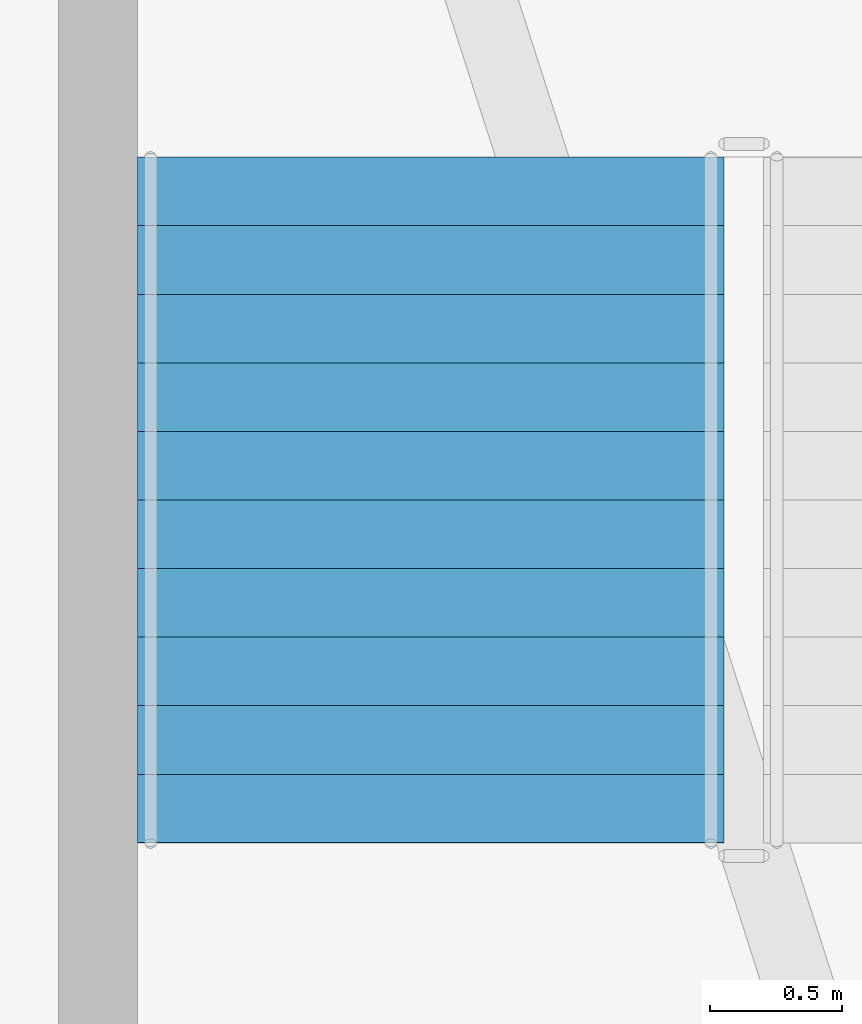
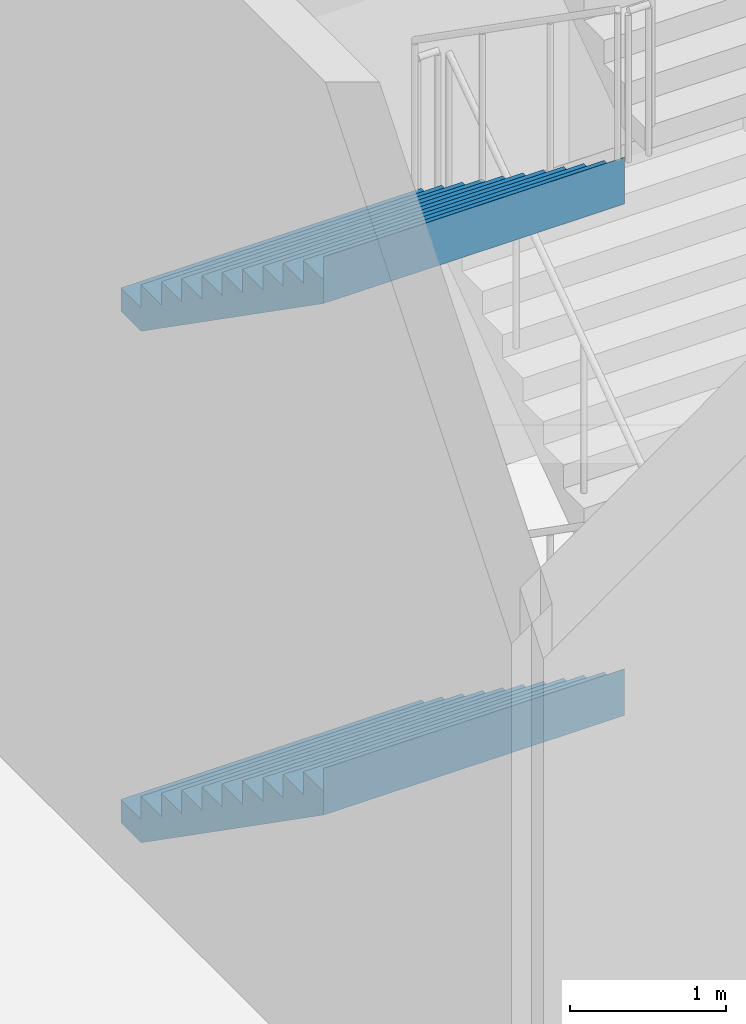
# One storey, part 23 of 36: 2 stair flights, 1 element without a shape of its own.
"""IFC4 building model written with IfcOpenShell, lengths in metres."""

from ifc_helpers import new_model, si_unit, direction, frame, origin, place, context, subcontext, project, spatial, triangles, material, type_object, element, aggregate, save


model = new_model("IFC4")

# Units and contexts
model_context = context("Model", 3, precision=1e-05, world=origin(), true_north=direction((0.0, 1.0)))
body_context = subcontext(model_context, "Body", "Model", "MODEL_VIEW")
ifc_project = project(units=[si_unit("LENGTHUNIT", "METRE"), si_unit("AREAUNIT", "SQUARE_METRE"), si_unit("VOLUMEUNIT", "CUBIC_METRE"), si_unit("PLANEANGLEUNIT", "RADIAN"), si_unit("MASSUNIT", "GRAM", prefix="KILO")], contexts=[model_context])

# Site, building, storey
site_placement = place(None, origin())
site = spatial("IfcSite", under=ifc_project, at=site_placement, CompositionType="ELEMENT")
building_placement = place(site_placement, origin())
building = spatial("IfcBuilding", under=site, at=building_placement, Name="Sahrelin Media Tower", CompositionType="ELEMENT")
storey_placement = place(building_placement, origin())
storey = spatial("IfcBuildingStorey", under=building, at=storey_placement, Name="L00", CompositionType="ELEMENT", Elevation=0.0)

# Stair, stair flights
ifc_material = material(Name="Concrete C40/50", Category="concrete")
stair_type = type_object("IfcStairType", Name="Podium stair 2225", PredefinedType="HALF_TURN_STAIR", material=ifc_material)
stair_placement = place(storey_placement, origin())
stair = element("IfcStair", 1, at=stair_placement, inside=storey, type_object=stair_type, Name="L00 Podium stair PS4", PredefinedType="HALF_TURN_STAIR")
stair_flight_type = type_object("IfcStairFlightType", Name="Stair flight 2225", PredefinedType="STRAIGHT", material=ifc_material)
stair_flight_1_placement = place(storey_placement, frame((9.46240234375, -30.625, 0.0), z_axis=(0.0, 0.0, 1.0), x_axis=(0.0, -1.0, 0.0)))
stair_flight_1 = element("IfcStairFlight", 2, at=stair_flight_1_placement, type_object=stair_flight_type, Name="PS4 flight 1", NumberOfRisers=11, NumberOfTreads=10, PredefinedType="STRAIGHT", RiserHeight=0.181818182, TreadLength=0.26, context=body_context, shape_type="Tessellation", body=[
    triangles([(0.261474609375, 1.112548828125, 0.0), (0.261474609375, 0.794677734375, 0.0), (0.261474609375, 0.476806640625, 0.0), (0.261474609375, 0.158935546875, 0.0), (0.261474609375, -0.158935546875, 0.0), (0.261474609375, -0.476806640625, 0.0), (0.261474609375, -0.794677734375, 0.0), (0.261474609375, -1.112548828125, 0.0), (2.60009765625, 1.112548828125, 1.63525390625), (2.60009765625, 0.794677734375, 1.63525390625), (2.60009765625, 0.476806640625, 1.63525390625), (2.60009765625, 0.158935546875, 1.63525390625), (2.60009765625, -0.158935546875, 1.63525390625), (2.60009765625, -0.476806640625, 1.63525390625), (2.60009765625, -0.794677734375, 1.63525390625), (2.60009765625, -1.112548828125, 1.63525390625), (2.60009765625, 1.112548828125, 2.0), (2.60009765625, 0.794677734375, 2.0), (2.60009765625, 0.476806640625, 2.0), (2.60009765625, 0.158935546875, 2.0), (2.60009765625, -0.158935546875, 2.0), (2.60009765625, -0.476806640625, 2.0), (2.60009765625, -0.794677734375, 2.0), (2.60009765625, -1.112548828125, 2.0), (2.597900390625, 1.112548828125, 2.0), (2.597900390625, 0.794677734375, 2.0), (2.597900390625, 0.476806640625, 2.0), (2.597900390625, 0.158935546875, 2.0), (2.597900390625, -0.158935546875, 2.0), (2.597900390625, -0.476806640625, 2.0), (2.597900390625, -0.794677734375, 2.0), (2.597900390625, -1.112548828125, 2.0), (2.597900390625, 1.112548828125, 1.818115234375), (2.597900390625, 0.794677734375, 1.818115234375), (2.597900390625, 0.476806640625, 1.818115234375), (2.597900390625, 0.158935546875, 1.818115234375), (2.597900390625, -0.158935546875, 1.818115234375), (2.597900390625, -0.476806640625, 1.818115234375), (2.597900390625, -0.794677734375, 1.818115234375), (2.597900390625, -1.112548828125, 1.818115234375), (2.340087890625, 1.112548828125, 1.818115234375), (2.340087890625, 0.794677734375, 1.818115234375), (2.340087890625, 0.476806640625, 1.818115234375), (2.340087890625, 0.158935546875, 1.818115234375), (2.340087890625, -0.158935546875, 1.818115234375), (2.340087890625, -0.476806640625, 1.818115234375), (2.340087890625, -0.794677734375, 1.818115234375), (2.340087890625, -1.112548828125, 1.818115234375), (2.340087890625, 1.112548828125, 1.636474609375), (2.340087890625, 0.794677734375, 1.636474609375), (2.340087890625, 0.476806640625, 1.636474609375), (2.340087890625, 0.158935546875, 1.636474609375), (2.340087890625, -0.158935546875, 1.636474609375), (2.340087890625, -0.476806640625, 1.636474609375), (2.340087890625, -0.794677734375, 1.636474609375), (2.340087890625, -1.112548828125, 1.636474609375), (2.080078125, 1.112548828125, 1.636474609375), (2.080078125, 0.794677734375, 1.636474609375), (2.080078125, 0.476806640625, 1.636474609375), (2.080078125, 0.158935546875, 1.636474609375), (2.080078125, -0.158935546875, 1.636474609375), (2.080078125, -0.476806640625, 1.636474609375), (2.080078125, -0.794677734375, 1.636474609375), (2.080078125, -1.112548828125, 1.636474609375), (2.080078125, 1.112548828125, 1.45458984375), (2.080078125, 0.794677734375, 1.45458984375), (2.080078125, 0.476806640625, 1.45458984375), (2.080078125, 0.158935546875, 1.45458984375), (2.080078125, -0.158935546875, 1.45458984375), (2.080078125, -0.476806640625, 1.45458984375), (2.080078125, -0.794677734375, 1.45458984375), (2.080078125, -1.112548828125, 1.45458984375), (1.820068359375, 1.112548828125, 1.45458984375), (1.820068359375, 0.794677734375, 1.45458984375), (1.820068359375, 0.476806640625, 1.45458984375), (1.820068359375, 0.158935546875, 1.45458984375), (1.820068359375, -0.158935546875, 1.45458984375), (1.820068359375, -0.476806640625, 1.45458984375), (1.820068359375, -0.794677734375, 1.45458984375), (1.820068359375, -1.112548828125, 1.45458984375), (1.820068359375, 1.112548828125, 1.272705078125), (1.820068359375, 0.794677734375, 1.272705078125), (1.820068359375, 0.476806640625, 1.272705078125), (1.820068359375, 0.158935546875, 1.272705078125), (1.820068359375, -0.158935546875, 1.272705078125), (1.820068359375, -0.476806640625, 1.272705078125), (1.820068359375, -0.794677734375, 1.272705078125), (1.820068359375, -1.112548828125, 1.272705078125), (1.56005859375, 1.112548828125, 1.272705078125), (1.56005859375, 0.794677734375, 1.272705078125), (1.56005859375, 0.476806640625, 1.272705078125), (1.56005859375, 0.158935546875, 1.272705078125), (1.56005859375, -0.158935546875, 1.272705078125), (1.56005859375, -0.476806640625, 1.272705078125), (1.56005859375, -0.794677734375, 1.272705078125), (1.56005859375, -1.112548828125, 1.272705078125), (1.56005859375, 1.112548828125, 1.0908203125), (1.56005859375, 0.794677734375, 1.0908203125), (1.56005859375, 0.476806640625, 1.0908203125), (1.56005859375, 0.158935546875, 1.0908203125), (1.56005859375, -0.158935546875, 1.0908203125), (1.56005859375, -0.476806640625, 1.0908203125), (1.56005859375, -0.794677734375, 1.0908203125), (1.56005859375, -1.112548828125, 1.0908203125), (1.300048828125, 1.112548828125, 1.0908203125), (1.300048828125, 0.794677734375, 1.0908203125), (1.300048828125, 0.476806640625, 1.0908203125), (1.300048828125, 0.158935546875, 1.0908203125), (1.300048828125, -0.158935546875, 1.0908203125), (1.300048828125, -0.476806640625, 1.0908203125), (1.300048828125, -0.794677734375, 1.0908203125), (1.300048828125, -1.112548828125, 1.0908203125), (1.300048828125, 1.112548828125, 0.9091796875), (1.300048828125, 0.794677734375, 0.9091796875), (1.300048828125, 0.476806640625, 0.9091796875), (1.300048828125, 0.158935546875, 0.9091796875), (1.300048828125, -0.158935546875, 0.9091796875), (1.300048828125, -0.476806640625, 0.9091796875), (1.300048828125, -0.794677734375, 0.9091796875), (1.300048828125, -1.112548828125, 0.9091796875), (1.0400390625, 1.112548828125, 0.9091796875), (1.0400390625, 0.794677734375, 0.9091796875), (1.0400390625, 0.476806640625, 0.9091796875), (1.0400390625, 0.158935546875, 0.9091796875), (1.0400390625, -0.158935546875, 0.9091796875), (1.0400390625, -0.476806640625, 0.9091796875), (1.0400390625, -0.794677734375, 0.9091796875), (1.0400390625, -1.112548828125, 0.9091796875), (1.0400390625, 1.112548828125, 0.727294921875), (1.0400390625, 0.794677734375, 0.727294921875), (1.0400390625, 0.476806640625, 0.727294921875), (1.0400390625, 0.158935546875, 0.727294921875), (1.0400390625, -0.158935546875, 0.727294921875), (1.0400390625, -0.476806640625, 0.727294921875), (1.0400390625, -0.794677734375, 0.727294921875), (1.0400390625, -1.112548828125, 0.727294921875), (0.780029296875, 1.112548828125, 0.727294921875), (0.780029296875, 0.794677734375, 0.727294921875), (0.780029296875, 0.476806640625, 0.727294921875), (0.780029296875, 0.158935546875, 0.727294921875), (0.780029296875, -0.158935546875, 0.727294921875), (0.780029296875, -0.476806640625, 0.727294921875), (0.780029296875, -0.794677734375, 0.727294921875), (0.780029296875, -1.112548828125, 0.727294921875), (0.780029296875, 1.112548828125, 0.54541015625), (0.780029296875, 0.794677734375, 0.54541015625), (0.780029296875, 0.476806640625, 0.54541015625), (0.780029296875, 0.158935546875, 0.54541015625), (0.780029296875, -0.158935546875, 0.54541015625), (0.780029296875, -0.476806640625, 0.54541015625), (0.780029296875, -0.794677734375, 0.54541015625), (0.780029296875, -1.112548828125, 0.54541015625), (0.52001953125, 1.112548828125, 0.54541015625), (0.52001953125, 0.794677734375, 0.54541015625), (0.52001953125, 0.476806640625, 0.54541015625), (0.52001953125, 0.158935546875, 0.54541015625), (0.52001953125, -0.158935546875, 0.54541015625), (0.52001953125, -0.476806640625, 0.54541015625), (0.52001953125, -0.794677734375, 0.54541015625), (0.52001953125, -1.112548828125, 0.54541015625), (0.52001953125, 1.112548828125, 0.363525390625), (0.52001953125, 0.794677734375, 0.363525390625), (0.52001953125, 0.476806640625, 0.363525390625), (0.52001953125, 0.158935546875, 0.363525390625), (0.52001953125, -0.158935546875, 0.363525390625), (0.52001953125, -0.476806640625, 0.363525390625), (0.52001953125, -0.794677734375, 0.363525390625), (0.52001953125, -1.112548828125, 0.363525390625), (0.260009765625, 1.112548828125, 0.363525390625), (0.260009765625, 0.794677734375, 0.363525390625), (0.260009765625, 0.476806640625, 0.363525390625), (0.260009765625, 0.158935546875, 0.363525390625), (0.260009765625, -0.158935546875, 0.363525390625), (0.260009765625, -0.476806640625, 0.363525390625), (0.260009765625, -0.794677734375, 0.363525390625), (0.260009765625, -1.112548828125, 0.363525390625), (0.260009765625, 1.112548828125, 0.181884765625), (0.260009765625, 0.794677734375, 0.181884765625), (0.260009765625, 0.476806640625, 0.181884765625), (0.260009765625, 0.158935546875, 0.181884765625), (0.260009765625, -0.158935546875, 0.181884765625), (0.260009765625, -0.476806640625, 0.181884765625), (0.260009765625, -0.794677734375, 0.181884765625), (0.260009765625, -1.112548828125, 0.181884765625), (0.0, 1.112548828125, 0.181884765625), (0.0, 0.794677734375, 0.181884765625), (0.0, 0.476806640625, 0.181884765625), (0.0, 0.158935546875, 0.181884765625), (0.0, -0.158935546875, 0.181884765625), (0.0, -0.476806640625, 0.181884765625), (0.0, -0.794677734375, 0.181884765625), (0.0, -1.112548828125, 0.181884765625), (0.0, 1.112548828125, 0.0), (0.0, 0.794677734375, 0.0), (0.0, 0.476806640625, 0.0), (0.0, 0.158935546875, 0.0), (0.0, -0.158935546875, 0.0), (0.0, -0.476806640625, 0.0), (0.0, -0.794677734375, 0.0), (0.0, -1.112548828125, 0.0)], [[1, 9, 10], [1, 10, 2], [2, 10, 11], [2, 11, 3], [3, 11, 12], [3, 12, 4], [4, 12, 13], [4, 13, 5], [5, 13, 14], [5, 14, 6], [6, 14, 15], [6, 15, 7], [7, 15, 16], [7, 16, 8], [9, 17, 18], [9, 18, 10], [10, 18, 19], [10, 19, 11], [11, 19, 20], [11, 20, 12], [12, 20, 21], [12, 21, 13], [13, 21, 22], [13, 22, 14], [14, 22, 23], [14, 23, 15], [15, 23, 24], [15, 24, 16], [17, 25, 26], [17, 26, 18], [18, 26, 27], [18, 27, 19], [19, 27, 28], [19, 28, 20], [20, 28, 29], [20, 29, 21], [21, 29, 30], [21, 30, 22], [22, 30, 31], [22, 31, 23], [23, 31, 32], [23, 32, 24], [25, 33, 34], [25, 34, 26], [26, 34, 35], [26, 35, 27], [27, 35, 36], [27, 36, 28], [28, 36, 37], [28, 37, 29], [29, 37, 38], [29, 38, 30], [30, 38, 39], [30, 39, 31], [31, 39, 40], [31, 40, 32], [33, 41, 42], [33, 42, 34], [34, 42, 43], [34, 43, 35], [35, 43, 44], [35, 44, 36], [36, 44, 45], [36, 45, 37], [37, 45, 46], [37, 46, 38], [38, 46, 47], [38, 47, 39], [39, 47, 48], [39, 48, 40], [41, 49, 50], [41, 50, 42], [42, 50, 51], [42, 51, 43], [43, 51, 52], [43, 52, 44], [44, 52, 53], [44, 53, 45], [45, 53, 54], [45, 54, 46], [46, 54, 55], [46, 55, 47], [47, 55, 56], [47, 56, 48], [49, 57, 58], [49, 58, 50], [50, 58, 59], [50, 59, 51], [51, 59, 60], [51, 60, 52], [52, 60, 61], [52, 61, 53], [53, 61, 62], [53, 62, 54], [54, 62, 63], [54, 63, 55], [55, 63, 64], [55, 64, 56], [57, 65, 66], [57, 66, 58], [58, 66, 67], [58, 67, 59], [59, 67, 68], [59, 68, 60], [60, 68, 69], [60, 69, 61], [61, 69, 70], [61, 70, 62], [62, 70, 71], [62, 71, 63], [63, 71, 72], [63, 72, 64], [65, 73, 74], [65, 74, 66], [66, 74, 75], [66, 75, 67], [67, 75, 76], [67, 76, 68], [68, 76, 77], [68, 77, 69], [69, 77, 78], [69, 78, 70], [70, 78, 79], [70, 79, 71], [71, 79, 80], [71, 80, 72], [73, 81, 82], [73, 82, 74], [74, 82, 83], [74, 83, 75], [75, 83, 84], [75, 84, 76], [76, 84, 85], [76, 85, 77], [77, 85, 86], [77, 86, 78], [78, 86, 87], [78, 87, 79], [79, 87, 88], [79, 88, 80], [81, 89, 90], [81, 90, 82], [82, 90, 91], [82, 91, 83], [83, 91, 92], [83, 92, 84], [84, 92, 93], [84, 93, 85], [85, 93, 94], [85, 94, 86], [86, 94, 95], [86, 95, 87], [87, 95, 96], [87, 96, 88], [89, 97, 98], [89, 98, 90], [90, 98, 99], [90, 99, 91], [91, 99, 100], [91, 100, 92], [92, 100, 101], [92, 101, 93], [93, 101, 102], [93, 102, 94], [94, 102, 103], [94, 103, 95], [95, 103, 104], [95, 104, 96], [97, 105, 106], [97, 106, 98], [98, 106, 107], [98, 107, 99], [99, 107, 108], [99, 108, 100], [100, 108, 109], [100, 109, 101], [101, 109, 110], [101, 110, 102], [102, 110, 111], [102, 111, 103], [103, 111, 112], [103, 112, 104], [105, 113, 114], [105, 114, 106], [106, 114, 115], [106, 115, 107], [107, 115, 116], [107, 116, 108], [108, 116, 117], [108, 117, 109], [109, 117, 118], [109, 118, 110], [110, 118, 119], [110, 119, 111], [111, 119, 120], [111, 120, 112], [113, 121, 122], [113, 122, 114], [114, 122, 123], [114, 123, 115], [115, 123, 124], [115, 124, 116], [116, 124, 125], [116, 125, 117], [117, 125, 126], [117, 126, 118], [118, 126, 127], [118, 127, 119], [119, 127, 128], [119, 128, 120], [121, 129, 130], [121, 130, 122], [122, 130, 131], [122, 131, 123], [123, 131, 132], [123, 132, 124], [124, 132, 133], [124, 133, 125], [125, 133, 134], [125, 134, 126], [126, 134, 135], [126, 135, 127], [127, 135, 136], [127, 136, 128], [129, 137, 138], [129, 138, 130], [130, 138, 139], [130, 139, 131], [131, 139, 140], [131, 140, 132], [132, 140, 141], [132, 141, 133], [133, 141, 142], [133, 142, 134], [134, 142, 143], [134, 143, 135], [135, 143, 144], [135, 144, 136], [137, 145, 146], [137, 146, 138], [138, 146, 147], [138, 147, 139], [139, 147, 148], [139, 148, 140], [140, 148, 149], [140, 149, 141], [141, 149, 150], [141, 150, 142], [142, 150, 151], [142, 151, 143], [143, 151, 152], [143, 152, 144], [145, 153, 154], [145, 154, 146], [146, 154, 155], [146, 155, 147], [147, 155, 156], [147, 156, 148], [148, 156, 157], [148, 157, 149], [149, 157, 158], [149, 158, 150], [150, 158, 159], [150, 159, 151], [151, 159, 160], [151, 160, 152], [153, 161, 162], [153, 162, 154], [154, 162, 163], [154, 163, 155], [155, 163, 164], [155, 164, 156], [156, 164, 165], [156, 165, 157], [157, 165, 166], [157, 166, 158], [158, 166, 167], [158, 167, 159], [159, 167, 168], [159, 168, 160], [161, 169, 170], [161, 170, 162], [162, 170, 171], [162, 171, 163], [163, 171, 172], [163, 172, 164], [164, 172, 173], [164, 173, 165], [165, 173, 174], [165, 174, 166], [166, 174, 175], [166, 175, 167], [167, 175, 176], [167, 176, 168], [169, 177, 178], [169, 178, 170], [170, 178, 179], [170, 179, 171], [171, 179, 180], [171, 180, 172], [172, 180, 181], [172, 181, 173], [173, 181, 182], [173, 182, 174], [174, 182, 183], [174, 183, 175], [175, 183, 184], [175, 184, 176], [177, 185, 186], [177, 186, 178], [178, 186, 187], [178, 187, 179], [179, 187, 188], [179, 188, 180], [180, 188, 189], [180, 189, 181], [181, 189, 190], [181, 190, 182], [182, 190, 191], [182, 191, 183], [183, 191, 192], [183, 192, 184], [185, 193, 194], [185, 194, 186], [186, 194, 195], [186, 195, 187], [187, 195, 196], [187, 196, 188], [188, 196, 197], [188, 197, 189], [189, 197, 198], [189, 198, 190], [190, 198, 199], [190, 199, 191], [191, 199, 200], [191, 200, 192], [193, 1, 2], [193, 2, 194], [194, 2, 3], [194, 3, 195], [195, 3, 4], [195, 4, 196], [196, 4, 5], [196, 5, 197], [197, 5, 6], [197, 6, 198], [198, 6, 7], [198, 7, 199], [199, 7, 8], [199, 8, 200], [184, 192, 200], [177, 193, 185], [184, 168, 176], [177, 169, 161], [168, 152, 160], [161, 153, 145], [152, 136, 144], [145, 137, 129], [136, 120, 128], [129, 121, 113], [120, 104, 112], [113, 105, 97], [104, 88, 96], [97, 89, 81], [88, 72, 80], [81, 73, 65], [72, 56, 64], [65, 57, 49], [56, 40, 48], [49, 41, 33], [40, 24, 32], [33, 25, 17], [200, 8, 184], [193, 177, 1], [40, 16, 24], [33, 17, 9], [168, 184, 8], [161, 1, 177], [56, 16, 40], [49, 33, 9], [152, 168, 8], [145, 1, 161], [72, 16, 56], [65, 49, 9], [136, 152, 8], [129, 1, 145], [88, 16, 72], [81, 65, 9], [120, 136, 8], [113, 1, 129], [104, 16, 88], [97, 81, 9], [8, 16, 120], [1, 113, 9], [120, 16, 104], [113, 97, 9]], closed=True),
])
stair_flight_2_placement = place(storey_placement, frame((9.46240234375, -30.625, 4.0), z_axis=(0.0, 0.0, 1.0), x_axis=(0.0, -1.0, 0.0)))
stair_flight_2 = element("IfcStairFlight", 3, at=stair_flight_2_placement, type_object=stair_flight_type, Name="PS4 flight 3", NumberOfRisers=11, NumberOfTreads=10, PredefinedType="STRAIGHT", RiserHeight=0.181818182, TreadLength=0.26, context=body_context, shape_type="Tessellation", body=[
    triangles([(0.261474609375, 1.112548828125, 0.0), (0.261474609375, 0.794677734375, 0.0), (0.261474609375, 0.476806640625, 0.0), (0.261474609375, 0.158935546875, 0.0), (0.261474609375, -0.158935546875, 0.0), (0.261474609375, -0.476806640625, 0.0), (0.261474609375, -0.794677734375, 0.0), (0.261474609375, -1.112548828125, 0.0), (2.60009765625, 1.112548828125, 1.63525390625), (2.60009765625, 0.794677734375, 1.63525390625), (2.60009765625, 0.476806640625, 1.63525390625), (2.60009765625, 0.158935546875, 1.63525390625), (2.60009765625, -0.158935546875, 1.63525390625), (2.60009765625, -0.476806640625, 1.63525390625), (2.60009765625, -0.794677734375, 1.63525390625), (2.60009765625, -1.112548828125, 1.63525390625), (2.60009765625, 1.112548828125, 2.0), (2.60009765625, 0.794677734375, 2.0), (2.60009765625, 0.476806640625, 2.0), (2.60009765625, 0.158935546875, 2.0), (2.60009765625, -0.158935546875, 2.0), (2.60009765625, -0.476806640625, 2.0), (2.60009765625, -0.794677734375, 2.0), (2.60009765625, -1.112548828125, 2.0), (2.597900390625, 1.112548828125, 2.0), (2.597900390625, 0.794677734375, 2.0), (2.597900390625, 0.476806640625, 2.0), (2.597900390625, 0.158935546875, 2.0), (2.597900390625, -0.158935546875, 2.0), (2.597900390625, -0.476806640625, 2.0), (2.597900390625, -0.794677734375, 2.0), (2.597900390625, -1.112548828125, 2.0), (2.597900390625, 1.112548828125, 1.818115234375), (2.597900390625, 0.794677734375, 1.818115234375), (2.597900390625, 0.476806640625, 1.818115234375), (2.597900390625, 0.158935546875, 1.818115234375), (2.597900390625, -0.158935546875, 1.818115234375), (2.597900390625, -0.476806640625, 1.818115234375), (2.597900390625, -0.794677734375, 1.818115234375), (2.597900390625, -1.112548828125, 1.818115234375), (2.340087890625, 1.112548828125, 1.818115234375), (2.340087890625, 0.794677734375, 1.818115234375), (2.340087890625, 0.476806640625, 1.818115234375), (2.340087890625, 0.158935546875, 1.818115234375), (2.340087890625, -0.158935546875, 1.818115234375), (2.340087890625, -0.476806640625, 1.818115234375), (2.340087890625, -0.794677734375, 1.818115234375), (2.340087890625, -1.112548828125, 1.818115234375), (2.340087890625, 1.112548828125, 1.636474609375), (2.340087890625, 0.794677734375, 1.636474609375), (2.340087890625, 0.476806640625, 1.636474609375), (2.340087890625, 0.158935546875, 1.636474609375), (2.340087890625, -0.158935546875, 1.636474609375), (2.340087890625, -0.476806640625, 1.636474609375), (2.340087890625, -0.794677734375, 1.636474609375), (2.340087890625, -1.112548828125, 1.636474609375), (2.080078125, 1.112548828125, 1.636474609375), (2.080078125, 0.794677734375, 1.636474609375), (2.080078125, 0.476806640625, 1.636474609375), (2.080078125, 0.158935546875, 1.636474609375), (2.080078125, -0.158935546875, 1.636474609375), (2.080078125, -0.476806640625, 1.636474609375), (2.080078125, -0.794677734375, 1.636474609375), (2.080078125, -1.112548828125, 1.636474609375), (2.080078125, 1.112548828125, 1.45458984375), (2.080078125, 0.794677734375, 1.45458984375), (2.080078125, 0.476806640625, 1.45458984375), (2.080078125, 0.158935546875, 1.45458984375), (2.080078125, -0.158935546875, 1.45458984375), (2.080078125, -0.476806640625, 1.45458984375), (2.080078125, -0.794677734375, 1.45458984375), (2.080078125, -1.112548828125, 1.45458984375), (1.820068359375, 1.112548828125, 1.45458984375), (1.820068359375, 0.794677734375, 1.45458984375), (1.820068359375, 0.476806640625, 1.45458984375), (1.820068359375, 0.158935546875, 1.45458984375), (1.820068359375, -0.158935546875, 1.45458984375), (1.820068359375, -0.476806640625, 1.45458984375), (1.820068359375, -0.794677734375, 1.45458984375), (1.820068359375, -1.112548828125, 1.45458984375), (1.820068359375, 1.112548828125, 1.272705078125), (1.820068359375, 0.794677734375, 1.272705078125), (1.820068359375, 0.476806640625, 1.272705078125), (1.820068359375, 0.158935546875, 1.272705078125), (1.820068359375, -0.158935546875, 1.272705078125), (1.820068359375, -0.476806640625, 1.272705078125), (1.820068359375, -0.794677734375, 1.272705078125), (1.820068359375, -1.112548828125, 1.272705078125), (1.56005859375, 1.112548828125, 1.272705078125), (1.56005859375, 0.794677734375, 1.272705078125), (1.56005859375, 0.476806640625, 1.272705078125), (1.56005859375, 0.158935546875, 1.272705078125), (1.56005859375, -0.158935546875, 1.272705078125), (1.56005859375, -0.476806640625, 1.272705078125), (1.56005859375, -0.794677734375, 1.272705078125), (1.56005859375, -1.112548828125, 1.272705078125), (1.56005859375, 1.112548828125, 1.0908203125), (1.56005859375, 0.794677734375, 1.0908203125), (1.56005859375, 0.476806640625, 1.0908203125), (1.56005859375, 0.158935546875, 1.0908203125), (1.56005859375, -0.158935546875, 1.0908203125), (1.56005859375, -0.476806640625, 1.0908203125), (1.56005859375, -0.794677734375, 1.0908203125), (1.56005859375, -1.112548828125, 1.0908203125), (1.300048828125, 1.112548828125, 1.0908203125), (1.300048828125, 0.794677734375, 1.0908203125), (1.300048828125, 0.476806640625, 1.0908203125), (1.300048828125, 0.158935546875, 1.0908203125), (1.300048828125, -0.158935546875, 1.0908203125), (1.300048828125, -0.476806640625, 1.0908203125), (1.300048828125, -0.794677734375, 1.0908203125), (1.300048828125, -1.112548828125, 1.0908203125), (1.300048828125, 1.112548828125, 0.9091796875), (1.300048828125, 0.794677734375, 0.9091796875), (1.300048828125, 0.476806640625, 0.9091796875), (1.300048828125, 0.158935546875, 0.9091796875), (1.300048828125, -0.158935546875, 0.9091796875), (1.300048828125, -0.476806640625, 0.9091796875), (1.300048828125, -0.794677734375, 0.9091796875), (1.300048828125, -1.112548828125, 0.9091796875), (1.0400390625, 1.112548828125, 0.9091796875), (1.0400390625, 0.794677734375, 0.9091796875), (1.0400390625, 0.476806640625, 0.9091796875), (1.0400390625, 0.158935546875, 0.9091796875), (1.0400390625, -0.158935546875, 0.9091796875), (1.0400390625, -0.476806640625, 0.9091796875), (1.0400390625, -0.794677734375, 0.9091796875), (1.0400390625, -1.112548828125, 0.9091796875), (1.0400390625, 1.112548828125, 0.727294921875), (1.0400390625, 0.794677734375, 0.727294921875), (1.0400390625, 0.476806640625, 0.727294921875), (1.0400390625, 0.158935546875, 0.727294921875), (1.0400390625, -0.158935546875, 0.727294921875), (1.0400390625, -0.476806640625, 0.727294921875), (1.0400390625, -0.794677734375, 0.727294921875), (1.0400390625, -1.112548828125, 0.727294921875), (0.780029296875, 1.112548828125, 0.727294921875), (0.780029296875, 0.794677734375, 0.727294921875), (0.780029296875, 0.476806640625, 0.727294921875), (0.780029296875, 0.158935546875, 0.727294921875), (0.780029296875, -0.158935546875, 0.727294921875), (0.780029296875, -0.476806640625, 0.727294921875), (0.780029296875, -0.794677734375, 0.727294921875), (0.780029296875, -1.112548828125, 0.727294921875), (0.780029296875, 1.112548828125, 0.54541015625), (0.780029296875, 0.794677734375, 0.54541015625), (0.780029296875, 0.476806640625, 0.54541015625), (0.780029296875, 0.158935546875, 0.54541015625), (0.780029296875, -0.158935546875, 0.54541015625), (0.780029296875, -0.476806640625, 0.54541015625), (0.780029296875, -0.794677734375, 0.54541015625), (0.780029296875, -1.112548828125, 0.54541015625), (0.52001953125, 1.112548828125, 0.54541015625), (0.52001953125, 0.794677734375, 0.54541015625), (0.52001953125, 0.476806640625, 0.54541015625), (0.52001953125, 0.158935546875, 0.54541015625), (0.52001953125, -0.158935546875, 0.54541015625), (0.52001953125, -0.476806640625, 0.54541015625), (0.52001953125, -0.794677734375, 0.54541015625), (0.52001953125, -1.112548828125, 0.54541015625), (0.52001953125, 1.112548828125, 0.363525390625), (0.52001953125, 0.794677734375, 0.363525390625), (0.52001953125, 0.476806640625, 0.363525390625), (0.52001953125, 0.158935546875, 0.363525390625), (0.52001953125, -0.158935546875, 0.363525390625), (0.52001953125, -0.476806640625, 0.363525390625), (0.52001953125, -0.794677734375, 0.363525390625), (0.52001953125, -1.112548828125, 0.363525390625), (0.260009765625, 1.112548828125, 0.363525390625), (0.260009765625, 0.794677734375, 0.363525390625), (0.260009765625, 0.476806640625, 0.363525390625), (0.260009765625, 0.158935546875, 0.363525390625), (0.260009765625, -0.158935546875, 0.363525390625), (0.260009765625, -0.476806640625, 0.363525390625), (0.260009765625, -0.794677734375, 0.363525390625), (0.260009765625, -1.112548828125, 0.363525390625), (0.260009765625, 1.112548828125, 0.181884765625), (0.260009765625, 0.794677734375, 0.181884765625), (0.260009765625, 0.476806640625, 0.181884765625), (0.260009765625, 0.158935546875, 0.181884765625), (0.260009765625, -0.158935546875, 0.181884765625), (0.260009765625, -0.476806640625, 0.181884765625), (0.260009765625, -0.794677734375, 0.181884765625), (0.260009765625, -1.112548828125, 0.181884765625), (0.0, 1.112548828125, 0.181884765625), (0.0, 0.794677734375, 0.181884765625), (0.0, 0.476806640625, 0.181884765625), (0.0, 0.158935546875, 0.181884765625), (0.0, -0.158935546875, 0.181884765625), (0.0, -0.476806640625, 0.181884765625), (0.0, -0.794677734375, 0.181884765625), (0.0, -1.112548828125, 0.181884765625), (0.0, 1.112548828125, 0.0), (0.0, 0.794677734375, 0.0), (0.0, 0.476806640625, 0.0), (0.0, 0.158935546875, 0.0), (0.0, -0.158935546875, 0.0), (0.0, -0.476806640625, 0.0), (0.0, -0.794677734375, 0.0), (0.0, -1.112548828125, 0.0)], [[1, 9, 10], [1, 10, 2], [2, 10, 11], [2, 11, 3], [3, 11, 12], [3, 12, 4], [4, 12, 13], [4, 13, 5], [5, 13, 14], [5, 14, 6], [6, 14, 15], [6, 15, 7], [7, 15, 16], [7, 16, 8], [9, 17, 18], [9, 18, 10], [10, 18, 19], [10, 19, 11], [11, 19, 20], [11, 20, 12], [12, 20, 21], [12, 21, 13], [13, 21, 22], [13, 22, 14], [14, 22, 23], [14, 23, 15], [15, 23, 24], [15, 24, 16], [17, 25, 26], [17, 26, 18], [18, 26, 27], [18, 27, 19], [19, 27, 28], [19, 28, 20], [20, 28, 29], [20, 29, 21], [21, 29, 30], [21, 30, 22], [22, 30, 31], [22, 31, 23], [23, 31, 32], [23, 32, 24], [25, 33, 34], [25, 34, 26], [26, 34, 35], [26, 35, 27], [27, 35, 36], [27, 36, 28], [28, 36, 37], [28, 37, 29], [29, 37, 38], [29, 38, 30], [30, 38, 39], [30, 39, 31], [31, 39, 40], [31, 40, 32], [33, 41, 42], [33, 42, 34], [34, 42, 43], [34, 43, 35], [35, 43, 44], [35, 44, 36], [36, 44, 45], [36, 45, 37], [37, 45, 46], [37, 46, 38], [38, 46, 47], [38, 47, 39], [39, 47, 48], [39, 48, 40], [41, 49, 50], [41, 50, 42], [42, 50, 51], [42, 51, 43], [43, 51, 52], [43, 52, 44], [44, 52, 53], [44, 53, 45], [45, 53, 54], [45, 54, 46], [46, 54, 55], [46, 55, 47], [47, 55, 56], [47, 56, 48], [49, 57, 58], [49, 58, 50], [50, 58, 59], [50, 59, 51], [51, 59, 60], [51, 60, 52], [52, 60, 61], [52, 61, 53], [53, 61, 62], [53, 62, 54], [54, 62, 63], [54, 63, 55], [55, 63, 64], [55, 64, 56], [57, 65, 66], [57, 66, 58], [58, 66, 67], [58, 67, 59], [59, 67, 68], [59, 68, 60], [60, 68, 69], [60, 69, 61], [61, 69, 70], [61, 70, 62], [62, 70, 71], [62, 71, 63], [63, 71, 72], [63, 72, 64], [65, 73, 74], [65, 74, 66], [66, 74, 75], [66, 75, 67], [67, 75, 76], [67, 76, 68], [68, 76, 77], [68, 77, 69], [69, 77, 78], [69, 78, 70], [70, 78, 79], [70, 79, 71], [71, 79, 80], [71, 80, 72], [73, 81, 82], [73, 82, 74], [74, 82, 83], [74, 83, 75], [75, 83, 84], [75, 84, 76], [76, 84, 85], [76, 85, 77], [77, 85, 86], [77, 86, 78], [78, 86, 87], [78, 87, 79], [79, 87, 88], [79, 88, 80], [81, 89, 90], [81, 90, 82], [82, 90, 91], [82, 91, 83], [83, 91, 92], [83, 92, 84], [84, 92, 93], [84, 93, 85], [85, 93, 94], [85, 94, 86], [86, 94, 95], [86, 95, 87], [87, 95, 96], [87, 96, 88], [89, 97, 98], [89, 98, 90], [90, 98, 99], [90, 99, 91], [91, 99, 100], [91, 100, 92], [92, 100, 101], [92, 101, 93], [93, 101, 102], [93, 102, 94], [94, 102, 103], [94, 103, 95], [95, 103, 104], [95, 104, 96], [97, 105, 106], [97, 106, 98], [98, 106, 107], [98, 107, 99], [99, 107, 108], [99, 108, 100], [100, 108, 109], [100, 109, 101], [101, 109, 110], [101, 110, 102], [102, 110, 111], [102, 111, 103], [103, 111, 112], [103, 112, 104], [105, 113, 114], [105, 114, 106], [106, 114, 115], [106, 115, 107], [107, 115, 116], [107, 116, 108], [108, 116, 117], [108, 117, 109], [109, 117, 118], [109, 118, 110], [110, 118, 119], [110, 119, 111], [111, 119, 120], [111, 120, 112], [113, 121, 122], [113, 122, 114], [114, 122, 123], [114, 123, 115], [115, 123, 124], [115, 124, 116], [116, 124, 125], [116, 125, 117], [117, 125, 126], [117, 126, 118], [118, 126, 127], [118, 127, 119], [119, 127, 128], [119, 128, 120], [121, 129, 130], [121, 130, 122], [122, 130, 131], [122, 131, 123], [123, 131, 132], [123, 132, 124], [124, 132, 133], [124, 133, 125], [125, 133, 134], [125, 134, 126], [126, 134, 135], [126, 135, 127], [127, 135, 136], [127, 136, 128], [129, 137, 138], [129, 138, 130], [130, 138, 139], [130, 139, 131], [131, 139, 140], [131, 140, 132], [132, 140, 141], [132, 141, 133], [133, 141, 142], [133, 142, 134], [134, 142, 143], [134, 143, 135], [135, 143, 144], [135, 144, 136], [137, 145, 146], [137, 146, 138], [138, 146, 147], [138, 147, 139], [139, 147, 148], [139, 148, 140], [140, 148, 149], [140, 149, 141], [141, 149, 150], [141, 150, 142], [142, 150, 151], [142, 151, 143], [143, 151, 152], [143, 152, 144], [145, 153, 154], [145, 154, 146], [146, 154, 155], [146, 155, 147], [147, 155, 156], [147, 156, 148], [148, 156, 157], [148, 157, 149], [149, 157, 158], [149, 158, 150], [150, 158, 159], [150, 159, 151], [151, 159, 160], [151, 160, 152], [153, 161, 162], [153, 162, 154], [154, 162, 163], [154, 163, 155], [155, 163, 164], [155, 164, 156], [156, 164, 165], [156, 165, 157], [157, 165, 166], [157, 166, 158], [158, 166, 167], [158, 167, 159], [159, 167, 168], [159, 168, 160], [161, 169, 170], [161, 170, 162], [162, 170, 171], [162, 171, 163], [163, 171, 172], [163, 172, 164], [164, 172, 173], [164, 173, 165], [165, 173, 174], [165, 174, 166], [166, 174, 175], [166, 175, 167], [167, 175, 176], [167, 176, 168], [169, 177, 178], [169, 178, 170], [170, 178, 179], [170, 179, 171], [171, 179, 180], [171, 180, 172], [172, 180, 181], [172, 181, 173], [173, 181, 182], [173, 182, 174], [174, 182, 183], [174, 183, 175], [175, 183, 184], [175, 184, 176], [177, 185, 186], [177, 186, 178], [178, 186, 187], [178, 187, 179], [179, 187, 188], [179, 188, 180], [180, 188, 189], [180, 189, 181], [181, 189, 190], [181, 190, 182], [182, 190, 191], [182, 191, 183], [183, 191, 192], [183, 192, 184], [185, 193, 194], [185, 194, 186], [186, 194, 195], [186, 195, 187], [187, 195, 196], [187, 196, 188], [188, 196, 197], [188, 197, 189], [189, 197, 198], [189, 198, 190], [190, 198, 199], [190, 199, 191], [191, 199, 200], [191, 200, 192], [193, 1, 2], [193, 2, 194], [194, 2, 3], [194, 3, 195], [195, 3, 4], [195, 4, 196], [196, 4, 5], [196, 5, 197], [197, 5, 6], [197, 6, 198], [198, 6, 7], [198, 7, 199], [199, 7, 8], [199, 8, 200], [184, 192, 200], [177, 193, 185], [184, 168, 176], [177, 169, 161], [168, 152, 160], [161, 153, 145], [152, 136, 144], [145, 137, 129], [136, 120, 128], [129, 121, 113], [120, 104, 112], [113, 105, 97], [104, 88, 96], [97, 89, 81], [88, 72, 80], [81, 73, 65], [72, 56, 64], [65, 57, 49], [56, 40, 48], [49, 41, 33], [40, 24, 32], [33, 25, 17], [200, 8, 184], [193, 177, 1], [40, 16, 24], [33, 17, 9], [168, 184, 8], [161, 1, 177], [56, 16, 40], [49, 33, 9], [152, 168, 8], [145, 1, 161], [72, 16, 56], [65, 49, 9], [136, 152, 8], [129, 1, 145], [88, 16, 72], [81, 65, 9], [120, 136, 8], [113, 1, 129], [104, 16, 88], [97, 81, 9], [8, 16, 120], [1, 113, 9], [120, 16, 104], [113, 97, 9]], closed=True),
])
aggregate(stair, [stair_flight_1, stair_flight_2])

save(model, "model.ifc")
